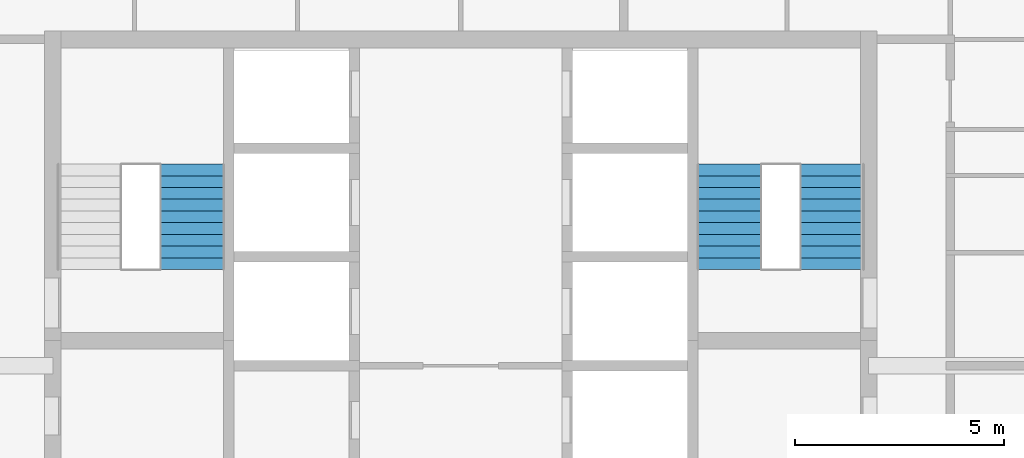
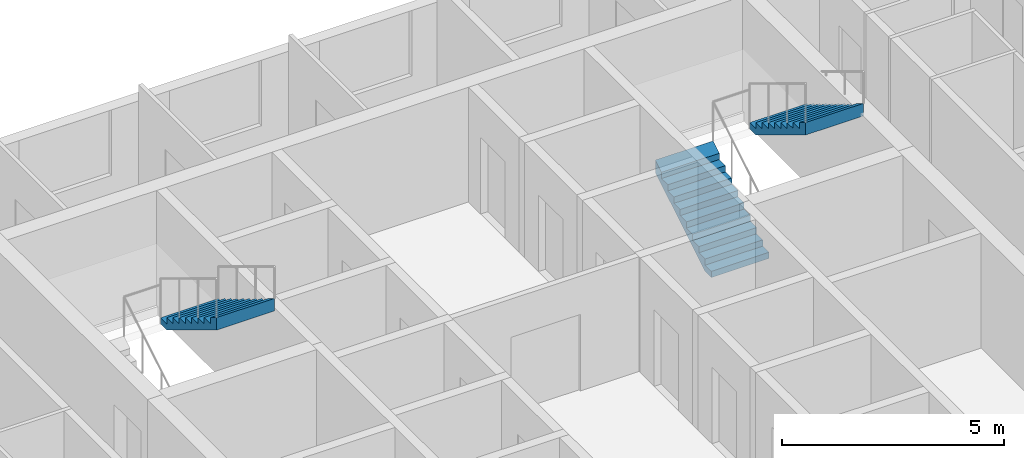
# One storey, part 14 of 16: 3 stair flights, 2 elements without a shape of their own.
"""IFC4 building model written with IfcOpenShell, lengths in metres."""

from ifc_helpers import new_model, si_unit, direction, frame, origin, place, context, subcontext, project, spatial, triangles, material, type_object, element, aggregate, save


model = new_model("IFC4")

# Units and contexts
model_context = context("Model", 3, precision=1e-05, world=origin(), true_north=direction((0.0, 1.0)))
body_context = subcontext(model_context, "Body", "Model", "MODEL_VIEW")
ifc_project = project(units=[si_unit("LENGTHUNIT", "METRE"), si_unit("AREAUNIT", "SQUARE_METRE"), si_unit("VOLUMEUNIT", "CUBIC_METRE"), si_unit("PLANEANGLEUNIT", "RADIAN"), si_unit("MASSUNIT", "GRAM", prefix="KILO")], contexts=[model_context])

# Site, building, storey
site_placement = place(None, origin())
site = spatial("IfcSite", under=ifc_project, at=site_placement, CompositionType="ELEMENT")
building_placement = place(site_placement, origin())
building = spatial("IfcBuilding", under=site, at=building_placement, Name="Ludao Terraces", CompositionType="ELEMENT")
storey_placement = place(building_placement, frame((0.0, 0.0, 227.89990234375)))
storey = spatial("IfcBuildingStorey", under=building, at=storey_placement, Name="L62", CompositionType="ELEMENT", Elevation=227.89990234375)

# Stair, stair flight
ifc_material = material(Name="Concrete C40", Category="concrete")
stair_type = type_object("IfcStairType", Name="INT Stair", PredefinedType="HALF_TURN_STAIR", material=ifc_material)
stair_1_placement = place(storey_placement, origin())
stair_1 = element("IfcStair", 1, at=stair_1_placement, inside=storey, type_object=stair_type, Name="EXIT STAIR 1", PredefinedType="HALF_TURN_STAIR")
stair_flight_type = type_object("IfcStairFlightType", Name="INT Stair flight", PredefinedType="STRAIGHT", material=ifc_material)
stair_flight_1_placement = place(storey_placement, frame((78.574951171875, 81.52001953125, 1.7001953125), z_axis=(0.0, 0.0, 1.0), x_axis=(0.0, -1.0, 0.0)))
stair_flight_1 = element("IfcStairFlight", 2, at=stair_flight_1_placement, type_object=stair_flight_type, Name="ST1 flight 2", NumberOfRisers=10, NumberOfTreads=9, PredefinedType="STRAIGHT", RiserHeight=0.17, TreadLength=0.28, context=body_context, shape_type="Tessellation", body=[
    triangles([(0.0, -0.75, 0.0), (0.0, -0.5, 0.0), (0.0, -0.25, 0.0), (0.0, 0.0, 0.0), (0.0, 0.25, 0.0), (0.0, 0.5, 0.0), (0.0, 0.75, 0.0), (0.0, -0.75, 0.169921875), (0.0, -0.5, 0.169921875), (0.0, -0.25, 0.169921875), (0.0, 0.0, 0.169921875), (0.0, 0.25, 0.169921875), (0.0, 0.5, 0.169921875), (0.0, 0.75, 0.169921875), (0.280029296875, -0.75, 0.169921875), (0.280029296875, -0.5, 0.169921875), (0.280029296875, -0.25, 0.169921875), (0.280029296875, 0.0, 0.169921875), (0.280029296875, 0.25, 0.169921875), (0.280029296875, 0.5, 0.169921875), (0.280029296875, 0.75, 0.169921875), (0.280029296875, -0.75, 0.340087890625), (0.280029296875, -0.5, 0.340087890625), (0.280029296875, -0.25, 0.340087890625), (0.280029296875, 0.0, 0.340087890625), (0.280029296875, 0.25, 0.340087890625), (0.280029296875, 0.5, 0.340087890625), (0.280029296875, 0.75, 0.340087890625), (0.56005859375, -0.75, 0.340087890625), (0.56005859375, -0.5, 0.340087890625), (0.56005859375, -0.25, 0.340087890625), (0.56005859375, 0.0, 0.340087890625), (0.56005859375, 0.25, 0.340087890625), (0.56005859375, 0.5, 0.340087890625), (0.56005859375, 0.75, 0.340087890625), (0.56005859375, -0.75, 0.510009765625), (0.56005859375, -0.5, 0.510009765625), (0.56005859375, -0.25, 0.510009765625), (0.56005859375, 0.0, 0.510009765625), (0.56005859375, 0.25, 0.510009765625), (0.56005859375, 0.5, 0.510009765625), (0.56005859375, 0.75, 0.510009765625), (0.840087890625, -0.75, 0.510009765625), (0.840087890625, -0.5, 0.510009765625), (0.840087890625, -0.25, 0.510009765625), (0.840087890625, 0.0, 0.510009765625), (0.840087890625, 0.25, 0.510009765625), (0.840087890625, 0.5, 0.510009765625), (0.840087890625, 0.75, 0.510009765625), (0.840087890625, -0.75, 0.679931640625), (0.840087890625, -0.5, 0.679931640625), (0.840087890625, -0.25, 0.679931640625), (0.840087890625, 0.0, 0.679931640625), (0.840087890625, 0.25, 0.679931640625), (0.840087890625, 0.5, 0.679931640625), (0.840087890625, 0.75, 0.679931640625), (1.1201171875, -0.75, 0.679931640625), (1.1201171875, -0.5, 0.679931640625), (1.1201171875, -0.25, 0.679931640625), (1.1201171875, 0.0, 0.679931640625), (1.1201171875, 0.25, 0.679931640625), (1.1201171875, 0.5, 0.679931640625), (1.1201171875, 0.75, 0.679931640625), (1.1201171875, -0.75, 0.85009765625), (1.1201171875, -0.5, 0.85009765625), (1.1201171875, -0.25, 0.85009765625), (1.1201171875, 0.0, 0.85009765625), (1.1201171875, 0.25, 0.85009765625), (1.1201171875, 0.5, 0.85009765625), (1.1201171875, 0.75, 0.85009765625), (1.39990234375, -0.75, 0.85009765625), (1.39990234375, -0.5, 0.85009765625), (1.39990234375, -0.25, 0.85009765625), (1.39990234375, 0.0, 0.85009765625), (1.39990234375, 0.25, 0.85009765625), (1.39990234375, 0.5, 0.85009765625), (1.39990234375, 0.75, 0.85009765625), (1.39990234375, -0.75, 1.02001953125), (1.39990234375, -0.5, 1.02001953125), (1.39990234375, -0.25, 1.02001953125), (1.39990234375, 0.0, 1.02001953125), (1.39990234375, 0.25, 1.02001953125), (1.39990234375, 0.5, 1.02001953125), (1.39990234375, 0.75, 1.02001953125), (1.679931640625, -0.75, 1.02001953125), (1.679931640625, -0.5, 1.02001953125), (1.679931640625, -0.25, 1.02001953125), (1.679931640625, 0.0, 1.02001953125), (1.679931640625, 0.25, 1.02001953125), (1.679931640625, 0.5, 1.02001953125), (1.679931640625, 0.75, 1.02001953125), (1.679931640625, -0.75, 1.18994140625), (1.679931640625, -0.5, 1.18994140625), (1.679931640625, -0.25, 1.18994140625), (1.679931640625, 0.0, 1.18994140625), (1.679931640625, 0.25, 1.18994140625), (1.679931640625, 0.5, 1.18994140625), (1.679931640625, 0.75, 1.18994140625), (1.9599609375, -0.75, 1.18994140625), (1.9599609375, -0.5, 1.18994140625), (1.9599609375, -0.25, 1.18994140625), (1.9599609375, 0.0, 1.18994140625), (1.9599609375, 0.25, 1.18994140625), (1.9599609375, 0.5, 1.18994140625), (1.9599609375, 0.75, 1.18994140625), (1.9599609375, -0.75, 1.360107421875), (1.9599609375, -0.5, 1.360107421875), (1.9599609375, -0.25, 1.360107421875), (1.9599609375, 0.0, 1.360107421875), (1.9599609375, 0.25, 1.360107421875), (1.9599609375, 0.5, 1.360107421875), (1.9599609375, 0.75, 1.360107421875), (2.239990234375, -0.75, 1.360107421875), (2.239990234375, -0.5, 1.360107421875), (2.239990234375, -0.25, 1.360107421875), (2.239990234375, 0.0, 1.360107421875), (2.239990234375, 0.25, 1.360107421875), (2.239990234375, 0.5, 1.360107421875), (2.239990234375, 0.75, 1.360107421875), (2.239990234375, -0.75, 1.530029296875), (2.239990234375, -0.5, 1.530029296875), (2.239990234375, -0.25, 1.530029296875), (2.239990234375, 0.0, 1.530029296875), (2.239990234375, 0.25, 1.530029296875), (2.239990234375, 0.5, 1.530029296875), (2.239990234375, 0.75, 1.530029296875), (2.52001953125, -0.75, 1.699951171875), (2.52001953125, -0.5, 1.699951171875), (2.52001953125, -0.25, 1.699951171875), (2.52001953125, 0.0, 1.699951171875), (2.52001953125, 0.25, 1.699951171875), (2.52001953125, 0.5, 1.699951171875), (2.52001953125, 0.75, 1.699951171875), (2.52001953125, -0.75, 1.354736328125), (2.52001953125, -0.5, 1.354736328125), (2.52001953125, -0.25, 1.354736328125), (2.52001953125, 0.0, 1.354736328125), (2.52001953125, 0.25, 1.354736328125), (2.52001953125, 0.5, 1.354736328125), (2.52001953125, 0.75, 1.354736328125), (0.288818359375, -0.75, 0.0), (0.288818359375, -0.5, 0.0), (0.288818359375, -0.25, 0.0), (0.288818359375, 0.0, 0.0), (0.288818359375, 0.25, 0.0), (0.288818359375, 0.5, 0.0), (0.288818359375, 0.75, 0.0)], [[1, 141, 134], [7, 140, 147], [134, 127, 120], [140, 126, 133], [134, 120, 113], [140, 119, 126], [134, 113, 106], [140, 112, 119], [134, 106, 99], [140, 105, 112], [99, 92, 85], [105, 91, 98], [134, 99, 85], [140, 91, 105], [85, 78, 71], [91, 77, 84], [134, 85, 71], [140, 77, 91], [71, 64, 57], [77, 63, 70], [134, 71, 57], [140, 63, 77], [57, 50, 43], [63, 49, 56], [134, 57, 43], [140, 49, 63], [43, 36, 29], [49, 35, 42], [134, 43, 29], [140, 35, 49], [29, 22, 15], [35, 21, 28], [134, 29, 15], [140, 21, 35], [1, 134, 15], [7, 21, 140], [15, 8, 1], [21, 7, 14], [1, 9, 2], [1, 8, 9], [2, 10, 3], [2, 9, 10], [3, 11, 4], [3, 10, 11], [4, 12, 5], [4, 11, 12], [5, 13, 6], [5, 12, 13], [6, 14, 7], [6, 13, 14], [8, 16, 9], [8, 15, 16], [9, 17, 10], [9, 16, 17], [10, 18, 11], [10, 17, 18], [11, 19, 12], [11, 18, 19], [12, 20, 13], [12, 19, 20], [13, 21, 14], [13, 20, 21], [15, 23, 16], [15, 22, 23], [16, 24, 17], [16, 23, 24], [17, 25, 18], [17, 24, 25], [18, 26, 19], [18, 25, 26], [19, 27, 20], [19, 26, 27], [20, 28, 21], [20, 27, 28], [22, 30, 23], [22, 29, 30], [23, 31, 24], [23, 30, 31], [24, 32, 25], [24, 31, 32], [25, 33, 26], [25, 32, 33], [26, 34, 27], [26, 33, 34], [27, 35, 28], [27, 34, 35], [29, 37, 30], [29, 36, 37], [30, 38, 31], [30, 37, 38], [31, 39, 32], [31, 38, 39], [32, 40, 33], [32, 39, 40], [33, 41, 34], [33, 40, 41], [34, 42, 35], [34, 41, 42], [36, 44, 37], [36, 43, 44], [37, 45, 38], [37, 44, 45], [38, 46, 39], [38, 45, 46], [39, 47, 40], [39, 46, 47], [40, 48, 41], [40, 47, 48], [41, 49, 42], [41, 48, 49], [43, 51, 44], [43, 50, 51], [44, 52, 45], [44, 51, 52], [45, 53, 46], [45, 52, 53], [46, 54, 47], [46, 53, 54], [47, 55, 48], [47, 54, 55], [48, 56, 49], [48, 55, 56], [50, 58, 51], [50, 57, 58], [51, 59, 52], [51, 58, 59], [52, 60, 53], [52, 59, 60], [53, 61, 54], [53, 60, 61], [54, 62, 55], [54, 61, 62], [55, 63, 56], [55, 62, 63], [57, 65, 58], [57, 64, 65], [58, 66, 59], [58, 65, 66], [59, 67, 60], [59, 66, 67], [60, 68, 61], [60, 67, 68], [61, 69, 62], [61, 68, 69], [62, 70, 63], [62, 69, 70], [64, 72, 65], [64, 71, 72], [65, 73, 66], [65, 72, 73], [66, 74, 67], [66, 73, 74], [67, 75, 68], [67, 74, 75], [68, 76, 69], [68, 75, 76], [69, 77, 70], [69, 76, 77], [71, 79, 72], [71, 78, 79], [72, 80, 73], [72, 79, 80], [73, 81, 74], [73, 80, 81], [74, 82, 75], [74, 81, 82], [75, 83, 76], [75, 82, 83], [76, 84, 77], [76, 83, 84], [78, 86, 79], [78, 85, 86], [79, 87, 80], [79, 86, 87], [80, 88, 81], [80, 87, 88], [81, 89, 82], [81, 88, 89], [82, 90, 83], [82, 89, 90], [83, 91, 84], [83, 90, 91], [85, 93, 86], [85, 92, 93], [86, 94, 87], [86, 93, 94], [87, 95, 88], [87, 94, 95], [88, 96, 89], [88, 95, 96], [89, 97, 90], [89, 96, 97], [90, 98, 91], [90, 97, 98], [92, 100, 93], [92, 99, 100], [93, 101, 94], [93, 100, 101], [94, 102, 95], [94, 101, 102], [95, 103, 96], [95, 102, 103], [96, 104, 97], [96, 103, 104], [97, 105, 98], [97, 104, 105], [99, 107, 100], [99, 106, 107], [100, 108, 101], [100, 107, 108], [101, 109, 102], [101, 108, 109], [102, 110, 103], [102, 109, 110], [103, 111, 104], [103, 110, 111], [104, 112, 105], [104, 111, 112], [106, 114, 107], [106, 113, 114], [107, 115, 108], [107, 114, 115], [108, 116, 109], [108, 115, 116], [109, 117, 110], [109, 116, 117], [110, 118, 111], [110, 117, 118], [111, 119, 112], [111, 118, 119], [113, 121, 114], [113, 120, 121], [114, 122, 115], [114, 121, 122], [115, 123, 116], [115, 122, 123], [116, 124, 117], [116, 123, 124], [117, 125, 118], [117, 124, 125], [118, 126, 119], [118, 125, 126], [120, 128, 121], [120, 127, 128], [121, 129, 122], [121, 128, 129], [122, 130, 123], [122, 129, 130], [123, 131, 124], [123, 130, 131], [124, 132, 125], [124, 131, 132], [125, 133, 126], [125, 132, 133], [127, 135, 128], [127, 134, 135], [128, 136, 129], [128, 135, 136], [129, 137, 130], [129, 136, 137], [130, 138, 131], [130, 137, 138], [131, 139, 132], [131, 138, 139], [132, 140, 133], [132, 139, 140], [134, 142, 135], [134, 141, 142], [135, 143, 136], [135, 142, 143], [136, 144, 137], [136, 143, 144], [137, 145, 138], [137, 144, 145], [138, 146, 139], [138, 145, 146], [139, 147, 140], [139, 146, 147], [141, 2, 142], [141, 1, 2], [142, 3, 143], [142, 2, 3], [143, 4, 144], [143, 3, 4], [144, 5, 145], [144, 4, 5], [145, 6, 146], [145, 5, 6], [146, 7, 147], [146, 6, 7]], closed=True),
])
aggregate(stair_1, [stair_flight_1])

# Stair, stair flights
stair_2_placement = place(storey_placement, origin())
stair_2 = element("IfcStair", 3, at=stair_2_placement, inside=storey, type_object=stair_type, Name="EXIT STAIR 2", PredefinedType="HALF_TURN_STAIR")
stair_flight_2_placement = place(storey_placement, frame((91.425048828125, 79.0, 0.0), z_axis=(0.0, 0.0, 1.0), x_axis=(0.0, 1.0, 0.0)))
stair_flight_2 = element("IfcStairFlight", 4, at=stair_flight_2_placement, type_object=stair_flight_type, Name="ST2 flight 1", NumberOfRisers=10, NumberOfTreads=9, PredefinedType="STRAIGHT", RiserHeight=0.17, TreadLength=0.28, context=body_context, shape_type="Tessellation", body=[
    triangles([(0.0, -0.75, 0.0), (0.0, -0.5, 0.0), (0.0, -0.25, 0.0), (0.0, 0.0, 0.0), (0.0, 0.25, 0.0), (0.0, 0.5, 0.0), (0.0, 0.75, 0.0), (0.0, -0.75, 0.169921875), (0.0, -0.5, 0.169921875), (0.0, -0.25, 0.169921875), (0.0, 0.0, 0.169921875), (0.0, 0.25, 0.169921875), (0.0, 0.5, 0.169921875), (0.0, 0.75, 0.169921875), (0.280029296875, -0.75, 0.169921875), (0.280029296875, -0.5, 0.169921875), (0.280029296875, -0.25, 0.169921875), (0.280029296875, 0.0, 0.169921875), (0.280029296875, 0.25, 0.169921875), (0.280029296875, 0.5, 0.169921875), (0.280029296875, 0.75, 0.169921875), (0.280029296875, -0.75, 0.340087890625), (0.280029296875, -0.5, 0.340087890625), (0.280029296875, -0.25, 0.340087890625), (0.280029296875, 0.0, 0.340087890625), (0.280029296875, 0.25, 0.340087890625), (0.280029296875, 0.5, 0.340087890625), (0.280029296875, 0.75, 0.340087890625), (0.56005859375, -0.75, 0.340087890625), (0.56005859375, -0.5, 0.340087890625), (0.56005859375, -0.25, 0.340087890625), (0.56005859375, 0.0, 0.340087890625), (0.56005859375, 0.25, 0.340087890625), (0.56005859375, 0.5, 0.340087890625), (0.56005859375, 0.75, 0.340087890625), (0.56005859375, -0.75, 0.510009765625), (0.56005859375, -0.5, 0.510009765625), (0.56005859375, -0.25, 0.510009765625), (0.56005859375, 0.0, 0.510009765625), (0.56005859375, 0.25, 0.510009765625), (0.56005859375, 0.5, 0.510009765625), (0.56005859375, 0.75, 0.510009765625), (0.840087890625, -0.75, 0.510009765625), (0.840087890625, -0.5, 0.510009765625), (0.840087890625, -0.25, 0.510009765625), (0.840087890625, 0.0, 0.510009765625), (0.840087890625, 0.25, 0.510009765625), (0.840087890625, 0.5, 0.510009765625), (0.840087890625, 0.75, 0.510009765625), (0.840087890625, -0.75, 0.679931640625), (0.840087890625, -0.5, 0.679931640625), (0.840087890625, -0.25, 0.679931640625), (0.840087890625, 0.0, 0.679931640625), (0.840087890625, 0.25, 0.679931640625), (0.840087890625, 0.5, 0.679931640625), (0.840087890625, 0.75, 0.679931640625), (1.1201171875, -0.75, 0.679931640625), (1.1201171875, -0.5, 0.679931640625), (1.1201171875, -0.25, 0.679931640625), (1.1201171875, 0.0, 0.679931640625), (1.1201171875, 0.25, 0.679931640625), (1.1201171875, 0.5, 0.679931640625), (1.1201171875, 0.75, 0.679931640625), (1.1201171875, -0.75, 0.85009765625), (1.1201171875, -0.5, 0.85009765625), (1.1201171875, -0.25, 0.85009765625), (1.1201171875, 0.0, 0.85009765625), (1.1201171875, 0.25, 0.85009765625), (1.1201171875, 0.5, 0.85009765625), (1.1201171875, 0.75, 0.85009765625), (1.39990234375, -0.75, 0.85009765625), (1.39990234375, -0.5, 0.85009765625), (1.39990234375, -0.25, 0.85009765625), (1.39990234375, 0.0, 0.85009765625), (1.39990234375, 0.25, 0.85009765625), (1.39990234375, 0.5, 0.85009765625), (1.39990234375, 0.75, 0.85009765625), (1.39990234375, -0.75, 1.02001953125), (1.39990234375, -0.5, 1.02001953125), (1.39990234375, -0.25, 1.02001953125), (1.39990234375, 0.0, 1.02001953125), (1.39990234375, 0.25, 1.02001953125), (1.39990234375, 0.5, 1.02001953125), (1.39990234375, 0.75, 1.02001953125), (1.679931640625, -0.75, 1.02001953125), (1.679931640625, -0.5, 1.02001953125), (1.679931640625, -0.25, 1.02001953125), (1.679931640625, 0.0, 1.02001953125), (1.679931640625, 0.25, 1.02001953125), (1.679931640625, 0.5, 1.02001953125), (1.679931640625, 0.75, 1.02001953125), (1.679931640625, -0.75, 1.18994140625), (1.679931640625, -0.5, 1.18994140625), (1.679931640625, -0.25, 1.18994140625), (1.679931640625, 0.0, 1.18994140625), (1.679931640625, 0.25, 1.18994140625), (1.679931640625, 0.5, 1.18994140625), (1.679931640625, 0.75, 1.18994140625), (1.9599609375, -0.75, 1.18994140625), (1.9599609375, -0.5, 1.18994140625), (1.9599609375, -0.25, 1.18994140625), (1.9599609375, 0.0, 1.18994140625), (1.9599609375, 0.25, 1.18994140625), (1.9599609375, 0.5, 1.18994140625), (1.9599609375, 0.75, 1.18994140625), (1.9599609375, -0.75, 1.360107421875), (1.9599609375, -0.5, 1.360107421875), (1.9599609375, -0.25, 1.360107421875), (1.9599609375, 0.0, 1.360107421875), (1.9599609375, 0.25, 1.360107421875), (1.9599609375, 0.5, 1.360107421875), (1.9599609375, 0.75, 1.360107421875), (2.239990234375, -0.75, 1.360107421875), (2.239990234375, -0.5, 1.360107421875), (2.239990234375, -0.25, 1.360107421875), (2.239990234375, 0.0, 1.360107421875), (2.239990234375, 0.25, 1.360107421875), (2.239990234375, 0.5, 1.360107421875), (2.239990234375, 0.75, 1.360107421875), (2.239990234375, -0.75, 1.530029296875), (2.239990234375, -0.5, 1.530029296875), (2.239990234375, -0.25, 1.530029296875), (2.239990234375, 0.0, 1.530029296875), (2.239990234375, 0.25, 1.530029296875), (2.239990234375, 0.5, 1.530029296875), (2.239990234375, 0.75, 1.530029296875), (2.52001953125, -0.75, 1.699951171875), (2.52001953125, -0.5, 1.699951171875), (2.52001953125, -0.25, 1.699951171875), (2.52001953125, 0.0, 1.699951171875), (2.52001953125, 0.25, 1.699951171875), (2.52001953125, 0.5, 1.699951171875), (2.52001953125, 0.75, 1.699951171875), (2.52001953125, -0.75, 1.354736328125), (2.52001953125, -0.5, 1.354736328125), (2.52001953125, -0.25, 1.354736328125), (2.52001953125, 0.0, 1.354736328125), (2.52001953125, 0.25, 1.354736328125), (2.52001953125, 0.5, 1.354736328125), (2.52001953125, 0.75, 1.354736328125), (0.288818359375, -0.75, 0.0), (0.288818359375, -0.5, 0.0), (0.288818359375, -0.25, 0.0), (0.288818359375, 0.0, 0.0), (0.288818359375, 0.25, 0.0), (0.288818359375, 0.5, 0.0), (0.288818359375, 0.75, 0.0)], [[1, 141, 134], [7, 140, 147], [134, 127, 120], [140, 126, 133], [134, 120, 113], [140, 119, 126], [134, 113, 106], [140, 112, 119], [134, 106, 99], [140, 105, 112], [99, 92, 85], [105, 91, 98], [134, 99, 85], [140, 91, 105], [85, 78, 71], [91, 77, 84], [134, 85, 71], [140, 77, 91], [71, 64, 57], [77, 63, 70], [134, 71, 57], [140, 63, 77], [57, 50, 43], [63, 49, 56], [134, 57, 43], [140, 49, 63], [43, 36, 29], [49, 35, 42], [134, 43, 29], [140, 35, 49], [29, 22, 15], [35, 21, 28], [134, 29, 15], [140, 21, 35], [1, 134, 15], [7, 21, 140], [15, 8, 1], [21, 7, 14], [1, 9, 2], [1, 8, 9], [2, 10, 3], [2, 9, 10], [3, 11, 4], [3, 10, 11], [4, 12, 5], [4, 11, 12], [5, 13, 6], [5, 12, 13], [6, 14, 7], [6, 13, 14], [8, 16, 9], [8, 15, 16], [9, 17, 10], [9, 16, 17], [10, 18, 11], [10, 17, 18], [11, 19, 12], [11, 18, 19], [12, 20, 13], [12, 19, 20], [13, 21, 14], [13, 20, 21], [15, 23, 16], [15, 22, 23], [16, 24, 17], [16, 23, 24], [17, 25, 18], [17, 24, 25], [18, 26, 19], [18, 25, 26], [19, 27, 20], [19, 26, 27], [20, 28, 21], [20, 27, 28], [22, 30, 23], [22, 29, 30], [23, 31, 24], [23, 30, 31], [24, 32, 25], [24, 31, 32], [25, 33, 26], [25, 32, 33], [26, 34, 27], [26, 33, 34], [27, 35, 28], [27, 34, 35], [29, 37, 30], [29, 36, 37], [30, 38, 31], [30, 37, 38], [31, 39, 32], [31, 38, 39], [32, 40, 33], [32, 39, 40], [33, 41, 34], [33, 40, 41], [34, 42, 35], [34, 41, 42], [36, 44, 37], [36, 43, 44], [37, 45, 38], [37, 44, 45], [38, 46, 39], [38, 45, 46], [39, 47, 40], [39, 46, 47], [40, 48, 41], [40, 47, 48], [41, 49, 42], [41, 48, 49], [43, 51, 44], [43, 50, 51], [44, 52, 45], [44, 51, 52], [45, 53, 46], [45, 52, 53], [46, 54, 47], [46, 53, 54], [47, 55, 48], [47, 54, 55], [48, 56, 49], [48, 55, 56], [50, 58, 51], [50, 57, 58], [51, 59, 52], [51, 58, 59], [52, 60, 53], [52, 59, 60], [53, 61, 54], [53, 60, 61], [54, 62, 55], [54, 61, 62], [55, 63, 56], [55, 62, 63], [57, 65, 58], [57, 64, 65], [58, 66, 59], [58, 65, 66], [59, 67, 60], [59, 66, 67], [60, 68, 61], [60, 67, 68], [61, 69, 62], [61, 68, 69], [62, 70, 63], [62, 69, 70], [64, 72, 65], [64, 71, 72], [65, 73, 66], [65, 72, 73], [66, 74, 67], [66, 73, 74], [67, 75, 68], [67, 74, 75], [68, 76, 69], [68, 75, 76], [69, 77, 70], [69, 76, 77], [71, 79, 72], [71, 78, 79], [72, 80, 73], [72, 79, 80], [73, 81, 74], [73, 80, 81], [74, 82, 75], [74, 81, 82], [75, 83, 76], [75, 82, 83], [76, 84, 77], [76, 83, 84], [78, 86, 79], [78, 85, 86], [79, 87, 80], [79, 86, 87], [80, 88, 81], [80, 87, 88], [81, 89, 82], [81, 88, 89], [82, 90, 83], [82, 89, 90], [83, 91, 84], [83, 90, 91], [85, 93, 86], [85, 92, 93], [86, 94, 87], [86, 93, 94], [87, 95, 88], [87, 94, 95], [88, 96, 89], [88, 95, 96], [89, 97, 90], [89, 96, 97], [90, 98, 91], [90, 97, 98], [92, 100, 93], [92, 99, 100], [93, 101, 94], [93, 100, 101], [94, 102, 95], [94, 101, 102], [95, 103, 96], [95, 102, 103], [96, 104, 97], [96, 103, 104], [97, 105, 98], [97, 104, 105], [99, 107, 100], [99, 106, 107], [100, 108, 101], [100, 107, 108], [101, 109, 102], [101, 108, 109], [102, 110, 103], [102, 109, 110], [103, 111, 104], [103, 110, 111], [104, 112, 105], [104, 111, 112], [106, 114, 107], [106, 113, 114], [107, 115, 108], [107, 114, 115], [108, 116, 109], [108, 115, 116], [109, 117, 110], [109, 116, 117], [110, 118, 111], [110, 117, 118], [111, 119, 112], [111, 118, 119], [113, 121, 114], [113, 120, 121], [114, 122, 115], [114, 121, 122], [115, 123, 116], [115, 122, 123], [116, 124, 117], [116, 123, 124], [117, 125, 118], [117, 124, 125], [118, 126, 119], [118, 125, 126], [120, 128, 121], [120, 127, 128], [121, 129, 122], [121, 128, 129], [122, 130, 123], [122, 129, 130], [123, 131, 124], [123, 130, 131], [124, 132, 125], [124, 131, 132], [125, 133, 126], [125, 132, 133], [127, 135, 128], [127, 134, 135], [128, 136, 129], [128, 135, 136], [129, 137, 130], [129, 136, 137], [130, 138, 131], [130, 137, 138], [131, 139, 132], [131, 138, 139], [132, 140, 133], [132, 139, 140], [134, 142, 135], [134, 141, 142], [135, 143, 136], [135, 142, 143], [136, 144, 137], [136, 143, 144], [137, 145, 138], [137, 144, 145], [138, 146, 139], [138, 145, 146], [139, 147, 140], [139, 146, 147], [141, 2, 142], [141, 1, 2], [142, 3, 143], [142, 2, 3], [143, 4, 144], [143, 3, 4], [144, 5, 145], [144, 4, 5], [145, 6, 146], [145, 5, 6], [146, 7, 147], [146, 6, 7]], closed=True),
])
stair_flight_3_placement = place(storey_placement, frame((93.875, 81.52001953125, 1.7001953125), z_axis=(0.0, 0.0, 1.0), x_axis=(0.0, -1.0, 0.0)))
stair_flight_3 = element("IfcStairFlight", 5, at=stair_flight_3_placement, type_object=stair_flight_type, Name="ST2 flight 2", NumberOfRisers=10, NumberOfTreads=9, PredefinedType="STRAIGHT", RiserHeight=0.17, TreadLength=0.28, context=body_context, shape_type="Tessellation", body=[
    triangles([(0.0, -0.75, 0.0), (0.0, -0.5, 0.0), (0.0, -0.25, 0.0), (0.0, 0.0, 0.0), (0.0, 0.25, 0.0), (0.0, 0.5, 0.0), (0.0, 0.75, 0.0), (0.0, -0.75, 0.169921875), (0.0, -0.5, 0.169921875), (0.0, -0.25, 0.169921875), (0.0, 0.0, 0.169921875), (0.0, 0.25, 0.169921875), (0.0, 0.5, 0.169921875), (0.0, 0.75, 0.169921875), (0.280029296875, -0.75, 0.169921875), (0.280029296875, -0.5, 0.169921875), (0.280029296875, -0.25, 0.169921875), (0.280029296875, 0.0, 0.169921875), (0.280029296875, 0.25, 0.169921875), (0.280029296875, 0.5, 0.169921875), (0.280029296875, 0.75, 0.169921875), (0.280029296875, -0.75, 0.340087890625), (0.280029296875, -0.5, 0.340087890625), (0.280029296875, -0.25, 0.340087890625), (0.280029296875, 0.0, 0.340087890625), (0.280029296875, 0.25, 0.340087890625), (0.280029296875, 0.5, 0.340087890625), (0.280029296875, 0.75, 0.340087890625), (0.56005859375, -0.75, 0.340087890625), (0.56005859375, -0.5, 0.340087890625), (0.56005859375, -0.25, 0.340087890625), (0.56005859375, 0.0, 0.340087890625), (0.56005859375, 0.25, 0.340087890625), (0.56005859375, 0.5, 0.340087890625), (0.56005859375, 0.75, 0.340087890625), (0.56005859375, -0.75, 0.510009765625), (0.56005859375, -0.5, 0.510009765625), (0.56005859375, -0.25, 0.510009765625), (0.56005859375, 0.0, 0.510009765625), (0.56005859375, 0.25, 0.510009765625), (0.56005859375, 0.5, 0.510009765625), (0.56005859375, 0.75, 0.510009765625), (0.840087890625, -0.75, 0.510009765625), (0.840087890625, -0.5, 0.510009765625), (0.840087890625, -0.25, 0.510009765625), (0.840087890625, 0.0, 0.510009765625), (0.840087890625, 0.25, 0.510009765625), (0.840087890625, 0.5, 0.510009765625), (0.840087890625, 0.75, 0.510009765625), (0.840087890625, -0.75, 0.679931640625), (0.840087890625, -0.5, 0.679931640625), (0.840087890625, -0.25, 0.679931640625), (0.840087890625, 0.0, 0.679931640625), (0.840087890625, 0.25, 0.679931640625), (0.840087890625, 0.5, 0.679931640625), (0.840087890625, 0.75, 0.679931640625), (1.1201171875, -0.75, 0.679931640625), (1.1201171875, -0.5, 0.679931640625), (1.1201171875, -0.25, 0.679931640625), (1.1201171875, 0.0, 0.679931640625), (1.1201171875, 0.25, 0.679931640625), (1.1201171875, 0.5, 0.679931640625), (1.1201171875, 0.75, 0.679931640625), (1.1201171875, -0.75, 0.85009765625), (1.1201171875, -0.5, 0.85009765625), (1.1201171875, -0.25, 0.85009765625), (1.1201171875, 0.0, 0.85009765625), (1.1201171875, 0.25, 0.85009765625), (1.1201171875, 0.5, 0.85009765625), (1.1201171875, 0.75, 0.85009765625), (1.39990234375, -0.75, 0.85009765625), (1.39990234375, -0.5, 0.85009765625), (1.39990234375, -0.25, 0.85009765625), (1.39990234375, 0.0, 0.85009765625), (1.39990234375, 0.25, 0.85009765625), (1.39990234375, 0.5, 0.85009765625), (1.39990234375, 0.75, 0.85009765625), (1.39990234375, -0.75, 1.02001953125), (1.39990234375, -0.5, 1.02001953125), (1.39990234375, -0.25, 1.02001953125), (1.39990234375, 0.0, 1.02001953125), (1.39990234375, 0.25, 1.02001953125), (1.39990234375, 0.5, 1.02001953125), (1.39990234375, 0.75, 1.02001953125), (1.679931640625, -0.75, 1.02001953125), (1.679931640625, -0.5, 1.02001953125), (1.679931640625, -0.25, 1.02001953125), (1.679931640625, 0.0, 1.02001953125), (1.679931640625, 0.25, 1.02001953125), (1.679931640625, 0.5, 1.02001953125), (1.679931640625, 0.75, 1.02001953125), (1.679931640625, -0.75, 1.18994140625), (1.679931640625, -0.5, 1.18994140625), (1.679931640625, -0.25, 1.18994140625), (1.679931640625, 0.0, 1.18994140625), (1.679931640625, 0.25, 1.18994140625), (1.679931640625, 0.5, 1.18994140625), (1.679931640625, 0.75, 1.18994140625), (1.9599609375, -0.75, 1.18994140625), (1.9599609375, -0.5, 1.18994140625), (1.9599609375, -0.25, 1.18994140625), (1.9599609375, 0.0, 1.18994140625), (1.9599609375, 0.25, 1.18994140625), (1.9599609375, 0.5, 1.18994140625), (1.9599609375, 0.75, 1.18994140625), (1.9599609375, -0.75, 1.360107421875), (1.9599609375, -0.5, 1.360107421875), (1.9599609375, -0.25, 1.360107421875), (1.9599609375, 0.0, 1.360107421875), (1.9599609375, 0.25, 1.360107421875), (1.9599609375, 0.5, 1.360107421875), (1.9599609375, 0.75, 1.360107421875), (2.239990234375, -0.75, 1.360107421875), (2.239990234375, -0.5, 1.360107421875), (2.239990234375, -0.25, 1.360107421875), (2.239990234375, 0.0, 1.360107421875), (2.239990234375, 0.25, 1.360107421875), (2.239990234375, 0.5, 1.360107421875), (2.239990234375, 0.75, 1.360107421875), (2.239990234375, -0.75, 1.530029296875), (2.239990234375, -0.5, 1.530029296875), (2.239990234375, -0.25, 1.530029296875), (2.239990234375, 0.0, 1.530029296875), (2.239990234375, 0.25, 1.530029296875), (2.239990234375, 0.5, 1.530029296875), (2.239990234375, 0.75, 1.530029296875), (2.52001953125, -0.75, 1.699951171875), (2.52001953125, -0.5, 1.699951171875), (2.52001953125, -0.25, 1.699951171875), (2.52001953125, 0.0, 1.699951171875), (2.52001953125, 0.25, 1.699951171875), (2.52001953125, 0.5, 1.699951171875), (2.52001953125, 0.75, 1.699951171875), (2.52001953125, -0.75, 1.354736328125), (2.52001953125, -0.5, 1.354736328125), (2.52001953125, -0.25, 1.354736328125), (2.52001953125, 0.0, 1.354736328125), (2.52001953125, 0.25, 1.354736328125), (2.52001953125, 0.5, 1.354736328125), (2.52001953125, 0.75, 1.354736328125), (0.288818359375, -0.75, 0.0), (0.288818359375, -0.5, 0.0), (0.288818359375, -0.25, 0.0), (0.288818359375, 0.0, 0.0), (0.288818359375, 0.25, 0.0), (0.288818359375, 0.5, 0.0), (0.288818359375, 0.75, 0.0)], [[1, 141, 134], [7, 140, 147], [134, 127, 120], [140, 126, 133], [134, 120, 113], [140, 119, 126], [134, 113, 106], [140, 112, 119], [134, 106, 99], [140, 105, 112], [99, 92, 85], [105, 91, 98], [134, 99, 85], [140, 91, 105], [85, 78, 71], [91, 77, 84], [134, 85, 71], [140, 77, 91], [71, 64, 57], [77, 63, 70], [134, 71, 57], [140, 63, 77], [57, 50, 43], [63, 49, 56], [134, 57, 43], [140, 49, 63], [43, 36, 29], [49, 35, 42], [134, 43, 29], [140, 35, 49], [29, 22, 15], [35, 21, 28], [134, 29, 15], [140, 21, 35], [1, 134, 15], [7, 21, 140], [15, 8, 1], [21, 7, 14], [1, 9, 2], [1, 8, 9], [2, 10, 3], [2, 9, 10], [3, 11, 4], [3, 10, 11], [4, 12, 5], [4, 11, 12], [5, 13, 6], [5, 12, 13], [6, 14, 7], [6, 13, 14], [8, 16, 9], [8, 15, 16], [9, 17, 10], [9, 16, 17], [10, 18, 11], [10, 17, 18], [11, 19, 12], [11, 18, 19], [12, 20, 13], [12, 19, 20], [13, 21, 14], [13, 20, 21], [15, 23, 16], [15, 22, 23], [16, 24, 17], [16, 23, 24], [17, 25, 18], [17, 24, 25], [18, 26, 19], [18, 25, 26], [19, 27, 20], [19, 26, 27], [20, 28, 21], [20, 27, 28], [22, 30, 23], [22, 29, 30], [23, 31, 24], [23, 30, 31], [24, 32, 25], [24, 31, 32], [25, 33, 26], [25, 32, 33], [26, 34, 27], [26, 33, 34], [27, 35, 28], [27, 34, 35], [29, 37, 30], [29, 36, 37], [30, 38, 31], [30, 37, 38], [31, 39, 32], [31, 38, 39], [32, 40, 33], [32, 39, 40], [33, 41, 34], [33, 40, 41], [34, 42, 35], [34, 41, 42], [36, 44, 37], [36, 43, 44], [37, 45, 38], [37, 44, 45], [38, 46, 39], [38, 45, 46], [39, 47, 40], [39, 46, 47], [40, 48, 41], [40, 47, 48], [41, 49, 42], [41, 48, 49], [43, 51, 44], [43, 50, 51], [44, 52, 45], [44, 51, 52], [45, 53, 46], [45, 52, 53], [46, 54, 47], [46, 53, 54], [47, 55, 48], [47, 54, 55], [48, 56, 49], [48, 55, 56], [50, 58, 51], [50, 57, 58], [51, 59, 52], [51, 58, 59], [52, 60, 53], [52, 59, 60], [53, 61, 54], [53, 60, 61], [54, 62, 55], [54, 61, 62], [55, 63, 56], [55, 62, 63], [57, 65, 58], [57, 64, 65], [58, 66, 59], [58, 65, 66], [59, 67, 60], [59, 66, 67], [60, 68, 61], [60, 67, 68], [61, 69, 62], [61, 68, 69], [62, 70, 63], [62, 69, 70], [64, 72, 65], [64, 71, 72], [65, 73, 66], [65, 72, 73], [66, 74, 67], [66, 73, 74], [67, 75, 68], [67, 74, 75], [68, 76, 69], [68, 75, 76], [69, 77, 70], [69, 76, 77], [71, 79, 72], [71, 78, 79], [72, 80, 73], [72, 79, 80], [73, 81, 74], [73, 80, 81], [74, 82, 75], [74, 81, 82], [75, 83, 76], [75, 82, 83], [76, 84, 77], [76, 83, 84], [78, 86, 79], [78, 85, 86], [79, 87, 80], [79, 86, 87], [80, 88, 81], [80, 87, 88], [81, 89, 82], [81, 88, 89], [82, 90, 83], [82, 89, 90], [83, 91, 84], [83, 90, 91], [85, 93, 86], [85, 92, 93], [86, 94, 87], [86, 93, 94], [87, 95, 88], [87, 94, 95], [88, 96, 89], [88, 95, 96], [89, 97, 90], [89, 96, 97], [90, 98, 91], [90, 97, 98], [92, 100, 93], [92, 99, 100], [93, 101, 94], [93, 100, 101], [94, 102, 95], [94, 101, 102], [95, 103, 96], [95, 102, 103], [96, 104, 97], [96, 103, 104], [97, 105, 98], [97, 104, 105], [99, 107, 100], [99, 106, 107], [100, 108, 101], [100, 107, 108], [101, 109, 102], [101, 108, 109], [102, 110, 103], [102, 109, 110], [103, 111, 104], [103, 110, 111], [104, 112, 105], [104, 111, 112], [106, 114, 107], [106, 113, 114], [107, 115, 108], [107, 114, 115], [108, 116, 109], [108, 115, 116], [109, 117, 110], [109, 116, 117], [110, 118, 111], [110, 117, 118], [111, 119, 112], [111, 118, 119], [113, 121, 114], [113, 120, 121], [114, 122, 115], [114, 121, 122], [115, 123, 116], [115, 122, 123], [116, 124, 117], [116, 123, 124], [117, 125, 118], [117, 124, 125], [118, 126, 119], [118, 125, 126], [120, 128, 121], [120, 127, 128], [121, 129, 122], [121, 128, 129], [122, 130, 123], [122, 129, 130], [123, 131, 124], [123, 130, 131], [124, 132, 125], [124, 131, 132], [125, 133, 126], [125, 132, 133], [127, 135, 128], [127, 134, 135], [128, 136, 129], [128, 135, 136], [129, 137, 130], [129, 136, 137], [130, 138, 131], [130, 137, 138], [131, 139, 132], [131, 138, 139], [132, 140, 133], [132, 139, 140], [134, 142, 135], [134, 141, 142], [135, 143, 136], [135, 142, 143], [136, 144, 137], [136, 143, 144], [137, 145, 138], [137, 144, 145], [138, 146, 139], [138, 145, 146], [139, 147, 140], [139, 146, 147], [141, 2, 142], [141, 1, 2], [142, 3, 143], [142, 2, 3], [143, 4, 144], [143, 3, 4], [144, 5, 145], [144, 4, 5], [145, 6, 146], [145, 5, 6], [146, 7, 147], [146, 6, 7]], closed=True),
])
aggregate(stair_2, [stair_flight_2, stair_flight_3])

save(model, "model.ifc")
